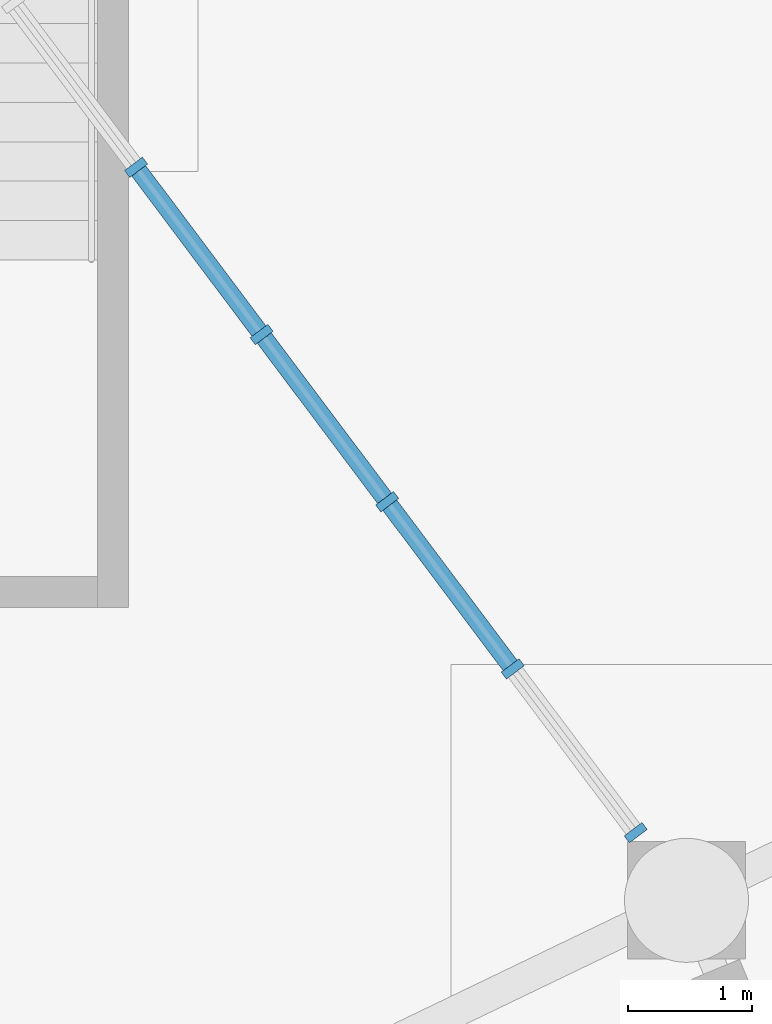
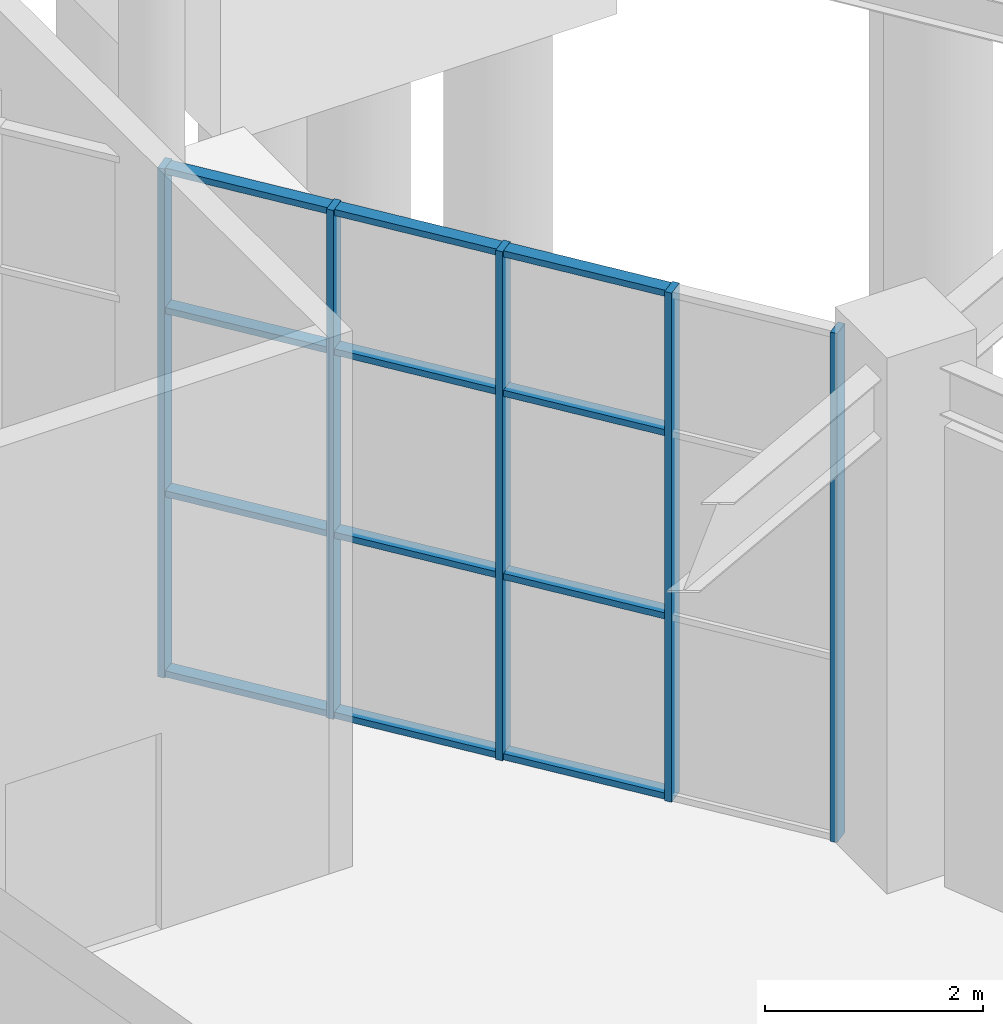
# One storey, part 46 of 121: 17 members, 1 element without a shape of its own.
"""IFC4 building model written with IfcOpenShell, lengths in metres."""

from ifc_helpers import new_model, si_unit, direction, frame, origin, origin_2d, place, context, subcontext, project, spatial, rectangle, extrude, material, material_profile, profile_set, type_object, element, aggregate, save


model = new_model("IFC4")

# Units and contexts
model_context = context("Model", 3, precision=1e-05, world=origin(), true_north=direction((0.0, 1.0)))
body_context = subcontext(model_context, "Body", "Model", "MODEL_VIEW")
ifc_project = project(units=[si_unit("LENGTHUNIT", "METRE"), si_unit("AREAUNIT", "SQUARE_METRE"), si_unit("VOLUMEUNIT", "CUBIC_METRE"), si_unit("PLANEANGLEUNIT", "RADIAN"), si_unit("MASSUNIT", "GRAM", prefix="KILO")], contexts=[model_context])

# Site, building, storey
site_placement = place(None, origin())
site = spatial("IfcSite", under=ifc_project, at=site_placement, CompositionType="ELEMENT")
building_placement = place(site_placement, origin())
building = spatial("IfcBuilding", under=site, at=building_placement, Name="Cuetzalor Civic Arena", CompositionType="ELEMENT")
storey_placement = place(building_placement, origin())
storey = spatial("IfcBuildingStorey", under=building, at=storey_placement, Name="L00", CompositionType="ELEMENT", Elevation=0.0)

# Curtain wall, members
ifc_material_1 = material(Name="Anodised dark bronze aluminium and low-E solar glass", Category="aluminium")
curtain_wall_type = type_object("IfcCurtainWallType", Name="UnitisedCW_8450x5700", PredefinedType="USERDEFINED", material=ifc_material_1)
curtain_wall_placement = place(storey_placement, origin())
curtain_wall = element("IfcCurtainWall", 1, at=curtain_wall_placement, inside=storey, type_object=curtain_wall_type, Name="Drum Ground Recessed Concourse Curtain Wall L00-002", ObjectType="UNITISED CURTAIN WALL", PredefinedType="USERDEFINED")
ifc_material_2 = material(Name="Anodised dark bronze aluminium", Category="aluminium")
ifc_material_profile_1 = material_profile(ifc_material_2, rectangle(XDim=0.070068359375, YDim=0.179931640625, at=origin_2d()), Name="ALU MULLION 70x180")
ifc_profile_set_1 = profile_set([ifc_material_profile_1], Name="Anodised dark bronze aluminium")
member_type_1 = type_object("IfcMemberType", Name="CurtainWallMullion_65x180", PredefinedType="MULLION", material=ifc_profile_set_1)
member_1_placement = place(storey_placement, frame((39.71044921875, 23.697998046875, 0.0), z_axis=(0.0, 0.0, 1.0), x_axis=(0.600491594925, -0.799631067696, 0.0)))
member_1 = element("IfcMember", 2, at=member_1_placement, type_object=member_type_1, Name="CW-02 mullion 2", PredefinedType="MULLION", context=body_context, shape_type="SweptSolid", body=[
    extrude(rectangle(XDim=0.070068359375, YDim=0.179931640625, at=origin_2d()), origin(), (0.0, 0.0, 1.0), 5.699951171875),
])
member_2_placement = place(storey_placement, frame((40.722412109375, 22.35009765625, 0.0), z_axis=(0.0, 0.0, 1.0), x_axis=(0.600491594925, -0.799631067696, 0.0)))
member_2 = element("IfcMember", 3, at=member_2_placement, type_object=member_type_1, Name="CW-02 mullion 3", PredefinedType="MULLION", context=body_context, shape_type="SweptSolid", body=[
    extrude(rectangle(XDim=0.070068359375, YDim=0.179931640625, at=origin_2d()), origin(), (0.0, 0.0, 1.0), 5.699951171875),
])
member_3_placement = place(storey_placement, frame((41.734619140625, 21.002197265625, 0.0), z_axis=(0.0, 0.0, 1.0), x_axis=(0.600491594925, -0.799631067696, 0.0)))
member_3 = element("IfcMember", 4, at=member_3_placement, type_object=member_type_1, Name="CW-02 mullion 4", PredefinedType="MULLION", context=body_context, shape_type="SweptSolid", body=[
    extrude(rectangle(XDim=0.070068359375, YDim=0.179931640625, at=origin_2d()), origin(), (0.0, 0.0, 1.0), 5.699951171875),
])
member_4_placement = place(storey_placement, frame((42.746826171875, 19.654541015625, 0.0), z_axis=(0.0, 0.0, 1.0), x_axis=(0.600491594925, -0.799631067696, 0.0)))
member_4 = element("IfcMember", 5, at=member_4_placement, type_object=member_type_1, Name="CW-02 mullion 5", PredefinedType="MULLION", context=body_context, shape_type="SweptSolid", body=[
    extrude(rectangle(XDim=0.070068359375, YDim=0.179931640625, at=origin_2d()), origin(), (0.0, 0.0, 1.0), 5.699951171875),
])
member_5_placement = place(storey_placement, frame((43.738037109375, 18.33447265625, 0.0), z_axis=(0.0, 0.0, 1.0), x_axis=(0.600491594925, -0.799631067696, 0.0)))
member_5 = element("IfcMember", 6, at=member_5_placement, type_object=member_type_1, Name="CW-02 mullion 6", PredefinedType="MULLION", context=body_context, shape_type="SweptSolid", body=[
    extrude(rectangle(XDim=0.070068359375, YDim=0.179931640625, at=origin_2d()), origin(), (0.0, 0.0, 1.0), 5.699951171875),
])
ifc_material_3 = material(Name="Anodised dark bronze aluminium", Category="aluminium")
ifc_material_profile_2 = material_profile(ifc_material_3, rectangle(XDim=0.139892578125, YDim=0.070068359375, at=origin_2d()), Name="ALU TRANSOM 70x140")
ifc_profile_set_2 = profile_set([ifc_material_profile_2], Name="Anodised dark bronze aluminium")
member_type_2 = type_object("IfcMemberType", Name="CurtainWallTransom_65x140", PredefinedType="USERDEFINED", material=ifc_profile_set_2)
member_6_placement = place(storey_placement, frame((39.7314453125, 23.669921875, 0.034912109375), z_axis=(0.600386788689, -0.799709762331, 0.0), x_axis=(0.799709762331, 0.600386788689, 0.0)))
member_6 = element("IfcMember", 7, at=member_6_placement, type_object=member_type_2, Name="CW-02 transom 2.1", ObjectType="TRANSOM", PredefinedType="USERDEFINED", context=body_context, shape_type="SweptSolid", body=[
    extrude(rectangle(XDim=0.139892578125, YDim=0.070068359375, at=origin_2d()), origin(), (0.0, 0.0, 1.0), 1.615478515625),
])
member_7_placement = place(storey_placement, frame((39.7314453125, 23.669921875, 2.052001953125), z_axis=(0.600386788689, -0.799709762331, 0.0), x_axis=(0.799709762331, 0.600386788689, 0.0)))
member_7 = element("IfcMember", 8, at=member_7_placement, type_object=member_type_2, Name="CW-02 transom 2.2", ObjectType="TRANSOM", PredefinedType="USERDEFINED", context=body_context, shape_type="SweptSolid", body=[
    extrude(rectangle(XDim=0.139892578125, YDim=0.070068359375, at=origin_2d()), origin(), (0.0, 0.0, 1.0), 1.615478515625),
])
member_8_placement = place(storey_placement, frame((39.7314453125, 23.669921875, 4.10400390625), z_axis=(0.600386788689, -0.799709762331, 0.0), x_axis=(0.799709762331, 0.600386788689, 0.0)))
member_8 = element("IfcMember", 9, at=member_8_placement, type_object=member_type_2, Name="CW-02 transom 2.3", ObjectType="TRANSOM", PredefinedType="USERDEFINED", context=body_context, shape_type="SweptSolid", body=[
    extrude(rectangle(XDim=0.139892578125, YDim=0.070068359375, at=origin_2d()), origin(), (0.0, 0.0, 1.0), 1.615478515625),
])
member_9_placement = place(storey_placement, frame((39.7314453125, 23.669921875, 5.6650390625), z_axis=(0.600386788689, -0.799709762331, 0.0), x_axis=(0.799709762331, 0.600386788689, 0.0)))
member_9 = element("IfcMember", 10, at=member_9_placement, type_object=member_type_2, Name="CW-02 transom 2.4", ObjectType="TRANSOM", PredefinedType="USERDEFINED", context=body_context, shape_type="SweptSolid", body=[
    extrude(rectangle(XDim=0.139892578125, YDim=0.070068359375, at=origin_2d()), origin(), (0.0, 0.0, 1.0), 1.615478515625),
])
member_10_placement = place(storey_placement, frame((40.74365234375, 22.322021484375, 0.034912109375), z_axis=(0.600459351447, -0.799655280268, 0.0), x_axis=(0.799655280268, 0.600459351447, 0.0)))
member_10 = element("IfcMember", 11, at=member_10_placement, type_object=member_type_2, Name="CW-02 transom 3.1", ObjectType="TRANSOM", PredefinedType="USERDEFINED", context=body_context, shape_type="SweptSolid", body=[
    extrude(rectangle(XDim=0.139892578125, YDim=0.070068359375, at=origin_2d()), origin(), (0.0, 0.0, 1.0), 1.615478515625),
])
member_11_placement = place(storey_placement, frame((40.74365234375, 22.322021484375, 2.052001953125), z_axis=(0.600459351447, -0.799655280268, 0.0), x_axis=(0.799655280268, 0.600459351447, 0.0)))
member_11 = element("IfcMember", 12, at=member_11_placement, type_object=member_type_2, Name="CW-02 transom 3.2", ObjectType="TRANSOM", PredefinedType="USERDEFINED", context=body_context, shape_type="SweptSolid", body=[
    extrude(rectangle(XDim=0.139892578125, YDim=0.070068359375, at=origin_2d()), origin(), (0.0, 0.0, 1.0), 1.615478515625),
])
member_12_placement = place(storey_placement, frame((40.74365234375, 22.322021484375, 4.10400390625), z_axis=(0.600459351447, -0.799655280268, 0.0), x_axis=(0.799655280268, 0.600459351447, 0.0)))
member_12 = element("IfcMember", 13, at=member_12_placement, type_object=member_type_2, Name="CW-02 transom 3.3", ObjectType="TRANSOM", PredefinedType="USERDEFINED", context=body_context, shape_type="SweptSolid", body=[
    extrude(rectangle(XDim=0.139892578125, YDim=0.070068359375, at=origin_2d()), origin(), (0.0, 0.0, 1.0), 1.615478515625),
])
member_13_placement = place(storey_placement, frame((40.74365234375, 22.322021484375, 5.6650390625), z_axis=(0.600459351447, -0.799655280268, 0.0), x_axis=(0.799655280268, 0.600459351447, 0.0)))
member_13 = element("IfcMember", 14, at=member_13_placement, type_object=member_type_2, Name="CW-02 transom 3.4", ObjectType="TRANSOM", PredefinedType="USERDEFINED", context=body_context, shape_type="SweptSolid", body=[
    extrude(rectangle(XDim=0.139892578125, YDim=0.070068359375, at=origin_2d()), origin(), (0.0, 0.0, 1.0), 1.615478515625),
])
member_14_placement = place(storey_placement, frame((41.755615234375, 20.974365234375, 0.034912109375), z_axis=(0.600483420085, -0.799637206615, 0.0), x_axis=(0.799637206615, 0.600483420085, 0.0)))
member_14 = element("IfcMember", 15, at=member_14_placement, type_object=member_type_2, Name="CW-02 transom 4.1", ObjectType="TRANSOM", PredefinedType="USERDEFINED", context=body_context, shape_type="SweptSolid", body=[
    extrude(rectangle(XDim=0.139892578125, YDim=0.070068359375, at=origin_2d()), origin(), (0.0, 0.0, 1.0), 1.61572265625),
])
member_15_placement = place(storey_placement, frame((41.755615234375, 20.974365234375, 2.052001953125), z_axis=(0.600483420085, -0.799637206615, 0.0), x_axis=(0.799637206615, 0.600483420085, 0.0)))
member_15 = element("IfcMember", 16, at=member_15_placement, type_object=member_type_2, Name="CW-02 transom 4.2", ObjectType="TRANSOM", PredefinedType="USERDEFINED", context=body_context, shape_type="SweptSolid", body=[
    extrude(rectangle(XDim=0.139892578125, YDim=0.070068359375, at=origin_2d()), origin(), (0.0, 0.0, 1.0), 1.61572265625),
])
member_16_placement = place(storey_placement, frame((41.755615234375, 20.974365234375, 4.10400390625), z_axis=(0.600483420085, -0.799637206615, 0.0), x_axis=(0.799637206615, 0.600483420085, 0.0)))
member_16 = element("IfcMember", 17, at=member_16_placement, type_object=member_type_2, Name="CW-02 transom 4.3", ObjectType="TRANSOM", PredefinedType="USERDEFINED", context=body_context, shape_type="SweptSolid", body=[
    extrude(rectangle(XDim=0.139892578125, YDim=0.070068359375, at=origin_2d()), origin(), (0.0, 0.0, 1.0), 1.61572265625),
])
member_17_placement = place(storey_placement, frame((41.755615234375, 20.974365234375, 5.6650390625), z_axis=(0.600483420085, -0.799637206615, 0.0), x_axis=(0.799637206615, 0.600483420085, 0.0)))
member_17 = element("IfcMember", 18, at=member_17_placement, type_object=member_type_2, Name="CW-02 transom 4.4", ObjectType="TRANSOM", PredefinedType="USERDEFINED", context=body_context, shape_type="SweptSolid", body=[
    extrude(rectangle(XDim=0.139892578125, YDim=0.070068359375, at=origin_2d()), origin(), (0.0, 0.0, 1.0), 1.61572265625),
])
aggregate(curtain_wall, [member_1, member_2, member_3, member_4, member_5, member_6, member_7, member_8, member_9, member_10, member_11, member_12, member_13, member_14, member_15, member_16, member_17])

save(model, "model.ifc")
